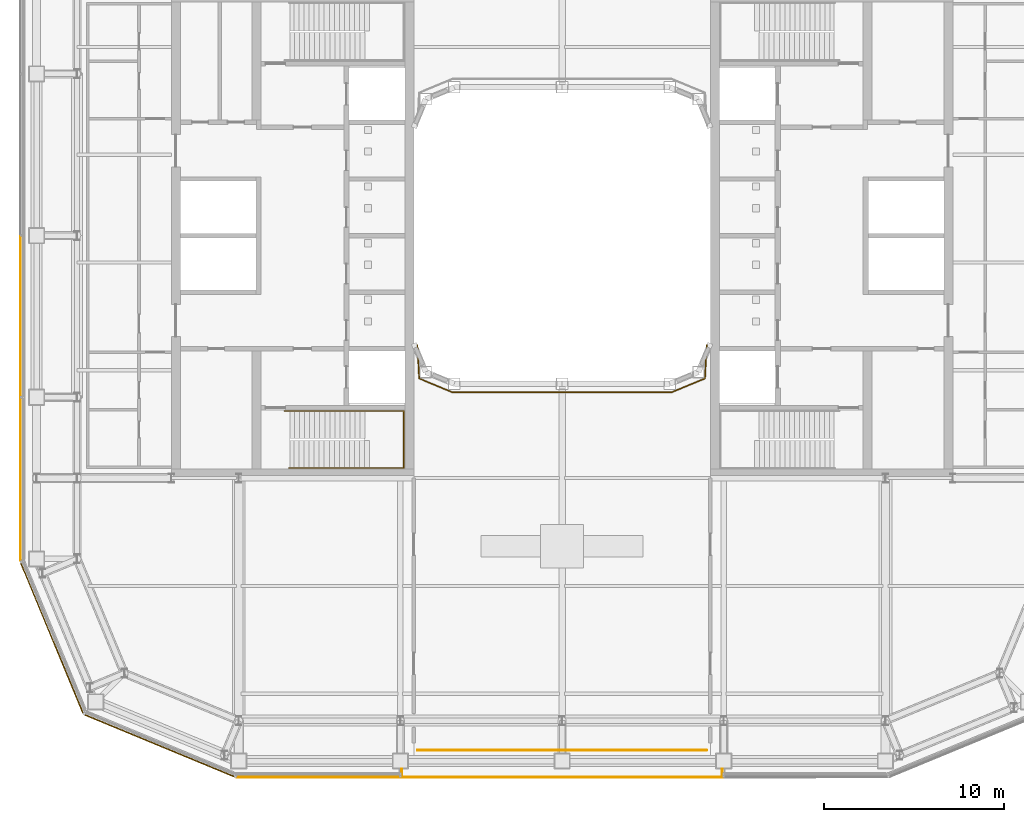
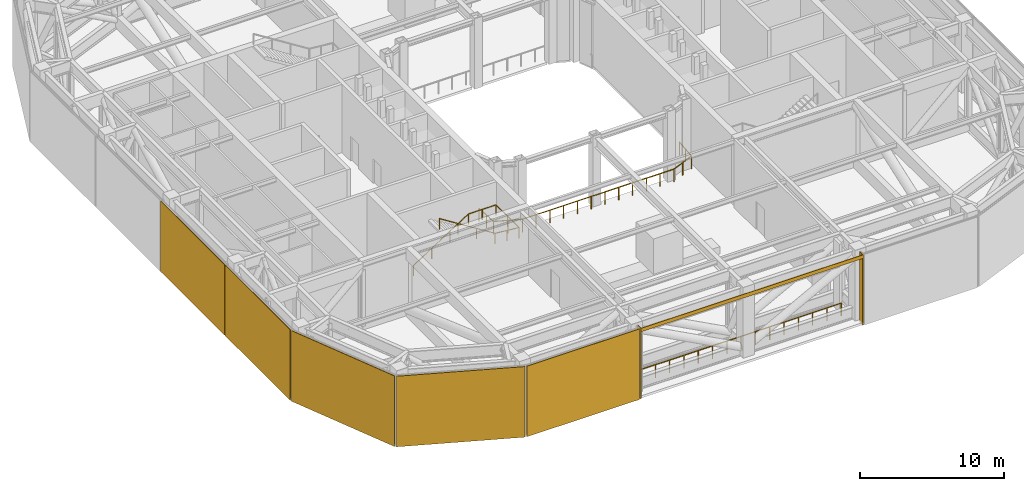
# One storey, part 19 of 22: 8 coverings, 3 railings.
"""IFC4 building model written with IfcOpenShell, lengths in metres."""

from ifc_helpers import new_model, si_unit, direction, frame, origin, origin_2d, place, context, subcontext, project, spatial, rectangle, circle, extrude, material, layer, layer_set, type_object, element, save


model = new_model("IFC4")

# Units and contexts
model_context = context("Model", 3, precision=1e-05, world=origin(), true_north=direction((0.0, 1.0)))
body_context = subcontext(model_context, "Body", "Model", "MODEL_VIEW")
ifc_project = project(units=[si_unit("LENGTHUNIT", "METRE"), si_unit("AREAUNIT", "SQUARE_METRE"), si_unit("VOLUMEUNIT", "CUBIC_METRE"), si_unit("PLANEANGLEUNIT", "RADIAN"), si_unit("MASSUNIT", "GRAM", prefix="KILO")], contexts=[model_context])

# Site, building, storey
site_placement = place(None, origin())
site = spatial("IfcSite", under=ifc_project, at=site_placement, CompositionType="ELEMENT")
building_placement = place(site_placement, origin())
building = spatial("IfcBuilding", under=site, at=building_placement, Name="Siwar Civic Tower", CompositionType="ELEMENT")
storey_placement = place(building_placement, frame((0.0, 0.0, 181.199951171875)))
storey = spatial("IfcBuildingStorey", under=building, at=storey_placement, Name="L39", CompositionType="ELEMENT", Elevation=181.199951171875)

# Railings
ifc_material_1 = material(Name="Stainless steel", Category="steel")
railing_type_1 = type_object("IfcRailingType", Name="CORE-STAIR-HANDRAIL", PredefinedType="HANDRAIL", material=ifc_material_1)
railing_1_placement = place(storey_placement, frame((-15.449951171875, -9.758056640625, 0.176513671875)))
element("IfcRailing", 1, at=railing_1_placement, inside=storey, type_object=railing_type_1, Name="Stair handrail ST2", PredefinedType="HANDRAIL", context=body_context, shape_type="SweptSolid", body=[
    extrude(circle(Radius=0.02001953125, at=origin_2d()), frame((0.0, 0.0, 0.8798828125), z_axis=(0.843278542751, 0.0, 0.537476789579), x_axis=(0.0, 1.0, 0.0)), (0.0, 0.0, 1.0), 5.253173828125),
    extrude(circle(Radius=0.02001953125, at=origin_2d()), frame((4.429931640625, 0.0, 3.703369140625), z_axis=(1.0, 0.0, 0.0), x_axis=(0.0, 1.0, 0.0)), (0.0, 0.0, 1.0), 2.2119140625),
    extrude(circle(Radius=0.02001953125, at=origin_2d()), frame((6.641845703125, 0.0, 3.703369140625), z_axis=(0.0, -1.0, 0.0), x_axis=(1.0, 0.0, 0.0)), (0.0, 0.0, 1.0), 3.183837890625),
    extrude(circle(Radius=0.02001953125, at=origin_2d()), frame((6.641845703125, -3.183837890625, 3.703369140625), z_axis=(-0.995765067396, 0.0, 0.091934381781), x_axis=(0.0, -1.0, 0.0)), (0.0, 0.0, 1.0), 1.919921875),
    extrude(circle(Radius=0.02001953125, at=origin_2d()), frame((4.72998046875, -3.183837890625, 3.8798828125), z_axis=(-0.845997938375, 0.0, 0.533186166611), x_axis=(0.0, -1.0, 0.0)), (0.0, 0.0, 1.0), 5.29541015625),
    extrude(circle(Radius=0.02001953125, at=origin_2d()), origin(), (0.0, 0.0, 1.0), 0.85986328125),
    extrude(circle(Radius=0.02001953125, at=origin_2d()), frame((1.4765625, 0.0, 0.941162109375)), (0.0, 0.0, 1.0), 0.85986328125),
    extrude(circle(Radius=0.02001953125, at=origin_2d()), frame((2.953369140625, 0.0, 1.88232421875)), (0.0, 0.0, 1.0), 0.85986328125),
    extrude(circle(Radius=0.02001953125, at=origin_2d()), frame((4.429931640625, 0.0, 2.823486328125)), (0.0, 0.0, 1.0), 0.85986328125),
    extrude(circle(Radius=0.02001953125, at=origin_2d()), frame((5.535888671875, 0.0, 2.823486328125)), (0.0, 0.0, 1.0), 0.85986328125),
    extrude(circle(Radius=0.02001953125, at=origin_2d()), frame((6.641845703125, 0.0, 2.823486328125)), (0.0, 0.0, 1.0), 0.85986328125),
    extrude(circle(Radius=0.02001953125, at=origin_2d()), frame((6.641845703125, -1.591796875, 2.823486328125)), (0.0, 0.0, 1.0), 0.85986328125),
    extrude(circle(Radius=0.02001953125, at=origin_2d()), frame((6.641845703125, -3.183837890625, 2.823486328125)), (0.0, 0.0, 1.0), 0.85986328125),
    extrude(circle(Radius=0.02001953125, at=origin_2d()), frame((5.68603515625, -3.183837890625, 2.91162109375)), (0.0, 0.0, 1.0), 0.85986328125),
    extrude(circle(Radius=0.02001953125, at=origin_2d()), frame((4.72998046875, -3.183837890625, 3.0)), (0.0, 0.0, 1.0), 0.85986328125),
    extrude(circle(Radius=0.02001953125, at=origin_2d()), frame((3.236572265625, -3.183837890625, 3.941162109375)), (0.0, 0.0, 1.0), 0.85986328125),
    extrude(circle(Radius=0.02001953125, at=origin_2d()), frame((1.743408203125, -3.183837890625, 4.88232421875)), (0.0, 0.0, 1.0), 0.85986328125),
    extrude(circle(Radius=0.02001953125, at=origin_2d()), frame((0.25, -3.183837890625, 5.823486328125)), (0.0, 0.0, 1.0), 0.85986328125),
])
ifc_material_2 = material(Name="Stainless steel 316", Category="steel")
railing_type_2 = type_object("IfcRailingType", Name="ENV-GUARD-ROOF", PredefinedType="GUARDRAIL", material=ifc_material_2)
railing_2_placement = place(storey_placement, frame((-8.050048828125, -28.64990234375, 0.0)))
element("IfcRailing", 2, at=railing_2_placement, inside=storey, type_object=railing_type_2, Name="Sky portal guard S outer edge", PredefinedType="GUARDRAIL", context=body_context, shape_type="SweptSolid", body=[
    extrude(circle(Radius=0.02392578125, at=origin_2d()), frame((0.0, 0.0, 1.076171875), z_axis=(1.0, 0.0, 0.0), x_axis=(0.0, 1.0, 0.0)), (0.0, 0.0, 1.0), 16.10009765625),
    extrude(circle(Radius=0.02099609375, at=origin_2d()), origin(), (0.0, 0.0, 1.0), 1.052001953125),
    extrude(circle(Radius=0.02099609375, at=origin_2d()), frame((1.14990234375, 0.0, 0.0)), (0.0, 0.0, 1.0), 1.052001953125),
    extrude(circle(Radius=0.02099609375, at=origin_2d()), frame((2.300048828125, 0.0, 0.0)), (0.0, 0.0, 1.0), 1.052001953125),
    extrude(circle(Radius=0.02099609375, at=origin_2d()), frame((3.449951171875, 0.0, 0.0)), (0.0, 0.0, 1.0), 1.052001953125),
    extrude(circle(Radius=0.02099609375, at=origin_2d()), frame((4.60009765625, 0.0, 0.0)), (0.0, 0.0, 1.0), 1.052001953125),
    extrude(circle(Radius=0.02099609375, at=origin_2d()), frame((5.75, 0.0, 0.0)), (0.0, 0.0, 1.0), 1.052001953125),
    extrude(circle(Radius=0.02099609375, at=origin_2d()), frame((6.900146484375, 0.0, 0.0)), (0.0, 0.0, 1.0), 1.052001953125),
    extrude(circle(Radius=0.02099609375, at=origin_2d()), frame((8.050048828125, 0.0, 0.0)), (0.0, 0.0, 1.0), 1.052001953125),
    extrude(circle(Radius=0.02099609375, at=origin_2d()), frame((9.199951171875, 0.0, 0.0)), (0.0, 0.0, 1.0), 1.052001953125),
    extrude(circle(Radius=0.02099609375, at=origin_2d()), frame((10.35009765625, 0.0, 0.0)), (0.0, 0.0, 1.0), 1.052001953125),
    extrude(circle(Radius=0.02099609375, at=origin_2d()), frame((11.5, 0.0, 0.0)), (0.0, 0.0, 1.0), 1.052001953125),
    extrude(circle(Radius=0.02099609375, at=origin_2d()), frame((12.650146484375, 0.0, 0.0)), (0.0, 0.0, 1.0), 1.052001953125),
    extrude(circle(Radius=0.02099609375, at=origin_2d()), frame((13.800048828125, 0.0, 0.0)), (0.0, 0.0, 1.0), 1.052001953125),
    extrude(circle(Radius=0.02099609375, at=origin_2d()), frame((14.9501953125, 0.0, 0.0)), (0.0, 0.0, 1.0), 1.052001953125),
    extrude(circle(Radius=0.02099609375, at=origin_2d()), frame((16.10009765625, 0.0, 0.0)), (0.0, 0.0, 1.0), 1.052001953125),
])
railing_3_placement = place(storey_placement, frame((-8.050048828125, -6.094482421875, 0.0)))
element("IfcRailing", 3, at=railing_3_placement, inside=storey, type_object=railing_type_2, Name="Sky portal guard S well edge", PredefinedType="GUARDRAIL", context=body_context, shape_type="SweptSolid", body=[
    extrude(circle(Radius=0.02392578125, at=origin_2d()), frame((0.0, 0.0, 1.076171875), z_axis=(0.051251625776, -0.99868577183, 0.0), x_axis=(0.99868577183, 0.051251625776, 0.0)), (0.0, 0.0, 1.0), 1.862548828125),
    extrude(circle(Radius=0.02392578125, at=origin_2d()), frame((0.095458984375, -1.860107421875, 1.076171875), z_axis=(0.923874950825, -0.382694493346, 0.0), x_axis=(0.382694493346, 0.923874950825, 0.0)), (0.0, 0.0, 1.0), 2.013427734375),
    extrude(circle(Radius=0.02392578125, at=origin_2d()), frame((1.95556640625, -2.630615234375, 1.076171875), z_axis=(1.0, 0.0, 0.0), x_axis=(0.0, 1.0, 0.0)), (0.0, 0.0, 1.0), 12.18896484375),
    extrude(circle(Radius=0.02392578125, at=origin_2d()), frame((14.14453125, -2.630615234375, 1.076171875), z_axis=(0.923874950825, 0.382694493346, 0.0), x_axis=(-0.382694493346, 0.923874950825, 0.0)), (0.0, 0.0, 1.0), 2.013427734375),
    extrude(circle(Radius=0.02392578125, at=origin_2d()), frame((16.004638671875, -1.860107421875, 1.076171875), z_axis=(0.051251625776, 0.99868577183, 0.0), x_axis=(-0.99868577183, 0.051251625776, 0.0)), (0.0, 0.0, 1.0), 1.862548828125),
    extrude(circle(Radius=0.02099609375, at=origin_2d()), origin(), (0.0, 0.0, 1.0), 1.052001953125),
    extrude(circle(Radius=0.02099609375, at=origin_2d()), frame((0.0478515625, -0.93017578125, 0.0)), (0.0, 0.0, 1.0), 1.052001953125),
    extrude(circle(Radius=0.02099609375, at=origin_2d()), frame((0.095458984375, -1.860107421875, 0.0)), (0.0, 0.0, 1.0), 1.052001953125),
    extrude(circle(Radius=0.02099609375, at=origin_2d()), frame((1.025390625, -2.245361328125, 0.0)), (0.0, 0.0, 1.0), 1.052001953125),
    extrude(circle(Radius=0.02099609375, at=origin_2d()), frame((1.95556640625, -2.630615234375, 0.0)), (0.0, 0.0, 1.0), 1.052001953125),
    extrude(circle(Radius=0.02099609375, at=origin_2d()), frame((3.063720703125, -2.630615234375, 0.0)), (0.0, 0.0, 1.0), 1.052001953125),
    extrude(circle(Radius=0.02099609375, at=origin_2d()), frame((4.171630859375, -2.630615234375, 0.0)), (0.0, 0.0, 1.0), 1.052001953125),
    extrude(circle(Radius=0.02099609375, at=origin_2d()), frame((5.27978515625, -2.630615234375, 0.0)), (0.0, 0.0, 1.0), 1.052001953125),
    extrude(circle(Radius=0.02099609375, at=origin_2d()), frame((6.387939453125, -2.630615234375, 0.0)), (0.0, 0.0, 1.0), 1.052001953125),
    extrude(circle(Radius=0.02099609375, at=origin_2d()), frame((7.49609375, -2.630615234375, 0.0)), (0.0, 0.0, 1.0), 1.052001953125),
    extrude(circle(Radius=0.02099609375, at=origin_2d()), frame((8.60400390625, -2.630615234375, 0.0)), (0.0, 0.0, 1.0), 1.052001953125),
    extrude(circle(Radius=0.02099609375, at=origin_2d()), frame((9.712158203125, -2.630615234375, 0.0)), (0.0, 0.0, 1.0), 1.052001953125),
    extrude(circle(Radius=0.02099609375, at=origin_2d()), frame((10.8203125, -2.630615234375, 0.0)), (0.0, 0.0, 1.0), 1.052001953125),
    extrude(circle(Radius=0.02099609375, at=origin_2d()), frame((11.928466796875, -2.630615234375, 0.0)), (0.0, 0.0, 1.0), 1.052001953125),
    extrude(circle(Radius=0.02099609375, at=origin_2d()), frame((13.036376953125, -2.630615234375, 0.0)), (0.0, 0.0, 1.0), 1.052001953125),
    extrude(circle(Radius=0.02099609375, at=origin_2d()), frame((14.14453125, -2.630615234375, 0.0)), (0.0, 0.0, 1.0), 1.052001953125),
    extrude(circle(Radius=0.02099609375, at=origin_2d()), frame((15.07470703125, -2.245361328125, 0.0)), (0.0, 0.0, 1.0), 1.052001953125),
    extrude(circle(Radius=0.02099609375, at=origin_2d()), frame((16.004638671875, -1.860107421875, 0.0)), (0.0, 0.0, 1.0), 1.052001953125),
    extrude(circle(Radius=0.02099609375, at=origin_2d()), frame((16.05224609375, -0.93017578125, 0.0)), (0.0, 0.0, 1.0), 1.052001953125),
    extrude(circle(Radius=0.02099609375, at=origin_2d()), frame((16.10009765625, 0.0, 0.0)), (0.0, 0.0, 1.0), 1.052001953125),
])

# Coverings
ifc_material_3 = material(Name="Perforated aluminium cassette, pale metal", Category="aluminium")
ifc_layer_1 = layer(ifc_material_3, 0.050048828125)
ifc_layer_set_1 = layer_set([ifc_layer_1], Name="Perforated aluminium cassette, pale metal")
covering_type_1 = type_object("IfcCoveringType", Name="ENV-OUTER SKIN OS-3", PredefinedType="CLADDING", material=ifc_layer_set_1)
covering_1_placement = place(storey_placement, frame((-30.14990234375, -4.5, -0.199951171875), z_axis=(0.0, 0.0, 1.0), x_axis=(0.0, -1.0, 0.0)))
element("IfcCovering", 4, at=covering_1_placement, inside=storey, type_object=covering_type_1, Name="OUTER SKIN OS-3 W 3", PredefinedType="CLADDING", context=body_context, shape_type="SweptSolid", body=[
    extrude(rectangle(XDim=8.89990234375, YDim=0.050048828125, at=origin_2d()), origin(), (0.0, 0.0, 1.0), 6.0),
])
covering_2_placement = place(storey_placement, frame((-30.14990234375, -13.57958984375, -0.199951171875), z_axis=(0.0, 0.0, 1.0), x_axis=(0.0, -1.0, 0.0)))
element("IfcCovering", 5, at=covering_2_placement, inside=storey, type_object=covering_type_1, Name="OUTER SKIN OS-3 W 4", PredefinedType="CLADDING", context=body_context, shape_type="SweptSolid", body=[
    extrude(rectangle(XDim=9.05908203125, YDim=0.050048828125, at=origin_2d()), origin(), (0.0, 0.0, 1.0), 6.0),
])
ifc_material_4 = material(Name="Perforated aluminium cassette, pale metal", Category="aluminium")
ifc_layer_2 = layer(ifc_material_4, 0.054931640625)
ifc_layer_set_2 = layer_set([ifc_layer_2], Name="Perforated aluminium cassette, pale metal")
covering_type_2 = type_object("IfcCoveringType", Name="ENV-OUTER SKIN OS-4", PredefinedType="CLADDING", material=ifc_layer_set_2)
covering_3_placement = place(storey_placement, frame((-13.57958984375, -30.14990234375, -0.199951171875), z_axis=(0.0, 0.0, 1.0), x_axis=(1.0, 0.0, 0.0)))
element("IfcCovering", 6, at=covering_3_placement, inside=storey, type_object=covering_type_2, Name="OUTER SKIN OS-4 S 1", PredefinedType="CLADDING", context=body_context, shape_type="SweptSolid", body=[
    extrude(rectangle(XDim=9.05908203125, YDim=0.054931640625, at=origin_2d()), origin(), (0.0, 0.0, 1.0), 6.0),
])
for number, where, z_axis, x_axis, name in (
    (7, (-28.39697265625, -22.411376953125, -0.199951171875), (0.0, 0.0, 1.0), (0.382683432365, -0.923879532511, 0.0), "OUTER SKIN OS-4 SW1 1"),
    (8, (-22.411376953125, -28.39697265625, -0.199951171875), (0.0, 0.0, 1.0), (0.923879532511, -0.382683432365, 0.0), "OUTER SKIN OS-4 SW2 1"),
):
    element("IfcCovering", number, at=place(storey_placement, frame(where, z_axis=z_axis, x_axis=x_axis)), inside=storey, type_object=covering_type_2, Name=name, PredefinedType="CLADDING", context=body_context, shape_type="SweptSolid", body=[
        extrude(rectangle(XDim=9.022216796875, YDim=0.054931640625, at=origin_2d()), origin(), (0.0, 0.0, 1.0), 6.0),
    ])
ifc_material_5 = material(Name="Perforated aluminium cassette, pale metal", Category="aluminium")
ifc_layer_3 = layer(ifc_material_5, 0.050048828125)
ifc_layer_set_3 = layer_set([ifc_layer_3], Name="Perforated aluminium cassette, pale metal")
covering_type_3 = type_object("IfcCoveringType", Name="ENV-PORTAL FRAME", PredefinedType="CLADDING", material=ifc_layer_set_3)
for number, where, z_axis, x_axis, name in (
    (9, (-8.925048828125, -29.9150390625, -0.199951171875), (0.0, 0.0, 1.0), (1.0, 0.0, 0.0), "PORTAL FRAME return plate S L39"),
    (10, (8.925048828125, -29.9150390625, -0.199951171875), (0.0, 0.0, 1.0), (1.0, 0.0, 0.0), "PORTAL FRAME return plate S L39"),
):
    element("IfcCovering", number, at=place(storey_placement, frame(where, z_axis=z_axis, x_axis=x_axis)), inside=storey, type_object=covering_type_3, Name=name, PredefinedType="CLADDING", context=body_context, shape_type="SweptSolid", body=[
        extrude(rectangle(XDim=0.050048828125, YDim=0.469970703125, at=origin_2d()), origin(), (0.0, 0.0, 1.0), 6.0),
    ])
covering_4_placement = place(storey_placement, frame((0.0, -30.14990234375, 5.5), z_axis=(0.0, 0.0, 1.0), x_axis=(1.0, 0.0, 0.0)))
element("IfcCovering", 11, at=covering_4_placement, inside=storey, type_object=covering_type_3, Name="PORTAL FRAME lintel S L39", PredefinedType="CLADDING", context=body_context, shape_type="SweptSolid", body=[
    extrude(rectangle(XDim=17.89990234375, YDim=0.050048828125, at=origin_2d()), origin(), (0.0, 0.0, 1.0), 0.300048828125),
])

save(model, "model.ifc")
